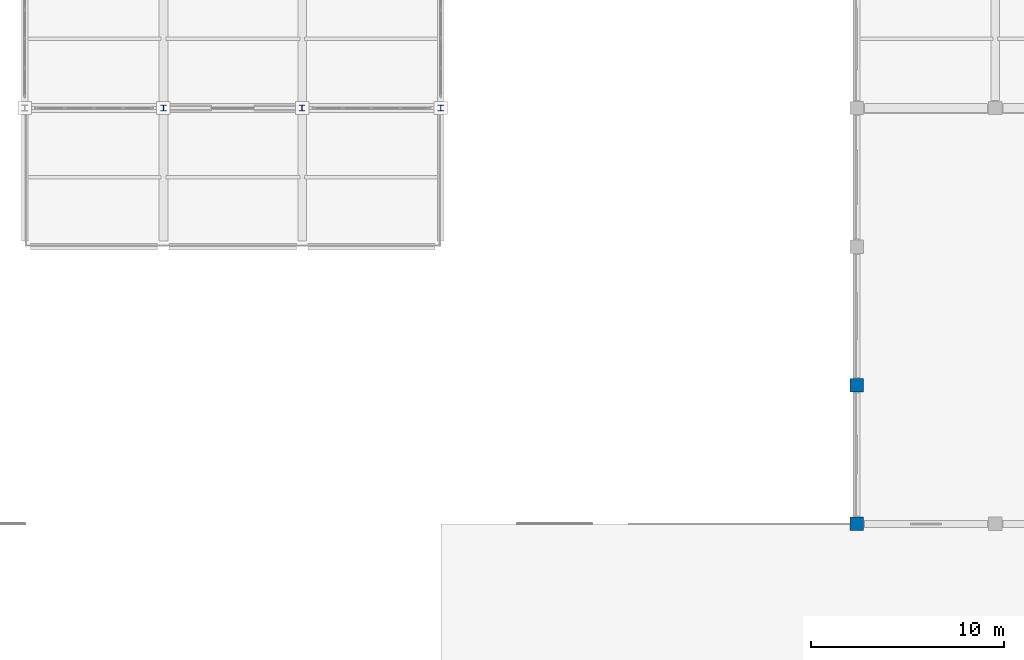
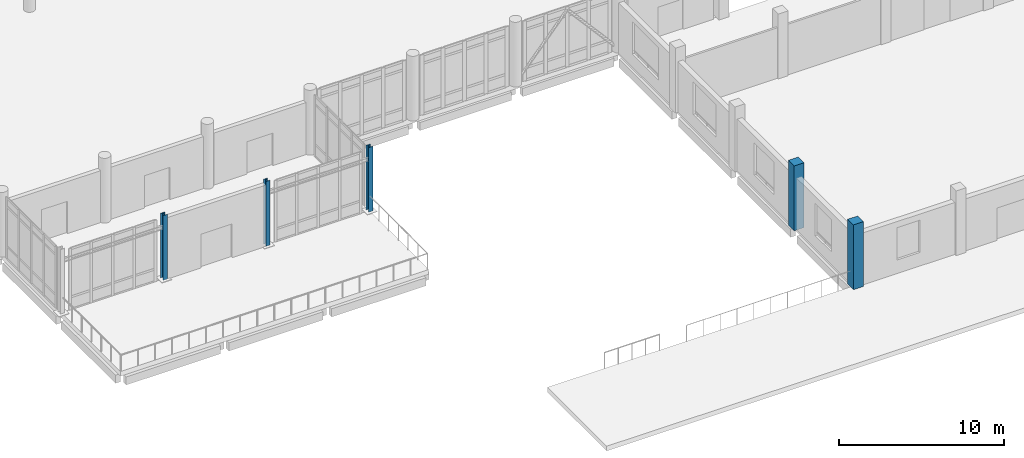
# One storey, part 5 of 59: 5 columns.
"""IFC4 building model written with IfcOpenShell, lengths in metres."""

from ifc_helpers import new_model, si_unit, direction, frame, origin, origin_2d, place, context, subcontext, project, spatial, rectangle, i_section, extrude, material, material_profile, profile_set, type_object, element, save


model = new_model("IFC4")

# Units and contexts
model_context = context("Model", 3, precision=1e-05, world=origin(), true_north=direction((0.0, 1.0)))
body_context = subcontext(model_context, "Body", "Model", "MODEL_VIEW")
ifc_project = project(units=[si_unit("LENGTHUNIT", "METRE"), si_unit("AREAUNIT", "SQUARE_METRE"), si_unit("VOLUMEUNIT", "CUBIC_METRE"), si_unit("PLANEANGLEUNIT", "RADIAN"), si_unit("MASSUNIT", "GRAM", prefix="KILO")], contexts=[model_context])

# Site, building, storey
site_placement = place(None, origin())
site = spatial("IfcSite", under=ifc_project, at=site_placement, CompositionType="ELEMENT")
building_placement = place(site_placement, origin())
building = spatial("IfcBuilding", under=site, at=building_placement, Name="Valkovuoma Quantum and Materials Research Institute", CompositionType="ELEMENT")
storey_placement = place(building_placement, origin())
storey = spatial("IfcBuildingStorey", under=building, at=storey_placement, Name="L00", CompositionType="ELEMENT", Elevation=0.0)

# Columns
ifc_material_1 = material(Name="Concrete C40/50", Category="concrete")
ifc_material_profile_1 = material_profile(ifc_material_1, rectangle(XDim=0.699951171875, YDim=0.699951171875, at=origin_2d()), Name="Concrete C40/50")
ifc_profile_set_1 = profile_set([ifc_material_profile_1], Name="Concrete C40/50")
column_type_1 = type_object("IfcColumnType", Name="Col-C-RC700", PredefinedType="COLUMN", material=ifc_profile_set_1)
for number, where, z_axis, x_axis, name in (
    (1, (100.800048828125, 7.199951171875, 0.0), (0.0, 0.0, 1.0), (1.0, 0.0, 0.0), "L00 column 15B"),
    (2, (100.800048828125, 14.39990234375, 0.0), (0.0, 0.0, 1.0), (1.0, 0.0, 0.0), "L00 column 15C"),
):
    element("IfcColumn", number, at=place(storey_placement, frame(where, z_axis=z_axis, x_axis=x_axis)), inside=storey, type_object=column_type_1, Name=name, PredefinedType="COLUMN", context=body_context, shape_type="SweptSolid", body=[
        extrude(rectangle(XDim=0.699951171875, YDim=0.699951171875, at=origin_2d()), origin(), (0.0, 0.0, 1.0), 4.800048828125),
    ])
ifc_material_2 = material(Name="Steel S355J2", Category="steel")
ifc_material_profile_2 = material_profile(ifc_material_2, i_section(OverallWidth=0.300048828125, OverallDepth=0.300048828125, WebThickness=0.010986328125, FlangeThickness=0.01904296875, FilletRadius=0.027099609375, at=origin_2d()), Name="Steel S355J2")
ifc_profile_set_2 = profile_set([ifc_material_profile_2], Name="Steel S355J2")
column_type_2 = type_object("IfcColumnType", Name="Col-C-STL300", PredefinedType="COLUMN", material=ifc_profile_set_2)
for number, where, z_axis, x_axis, name in (
    (3, (64.800048828125, 28.800048828125, 0.0), (0.0, 0.0, 1.0), (1.0, 0.0, 0.0), "L00 column 10E"),
    (4, (72.0, 28.800048828125, 0.0), (0.0, 0.0, 1.0), (1.0, 0.0, 0.0), "L00 column 11E"),
    (5, (79.199951171875, 28.800048828125, 0.0), (0.0, 0.0, 1.0), (1.0, 0.0, 0.0), "L00 column 12E"),
):
    element("IfcColumn", number, at=place(storey_placement, frame(where, z_axis=z_axis, x_axis=x_axis)), inside=storey, type_object=column_type_2, Name=name, PredefinedType="COLUMN", context=body_context, shape_type="SweptSolid", body=[
        extrude(i_section(OverallWidth=0.300048828125, OverallDepth=0.300048828125, WebThickness=0.010986328125, FlangeThickness=0.01904296875, FilletRadius=0.027099609375, at=origin_2d()), origin(), (0.0, 0.0, 1.0), 4.800048828125),
    ])

save(model, "model.ifc")
